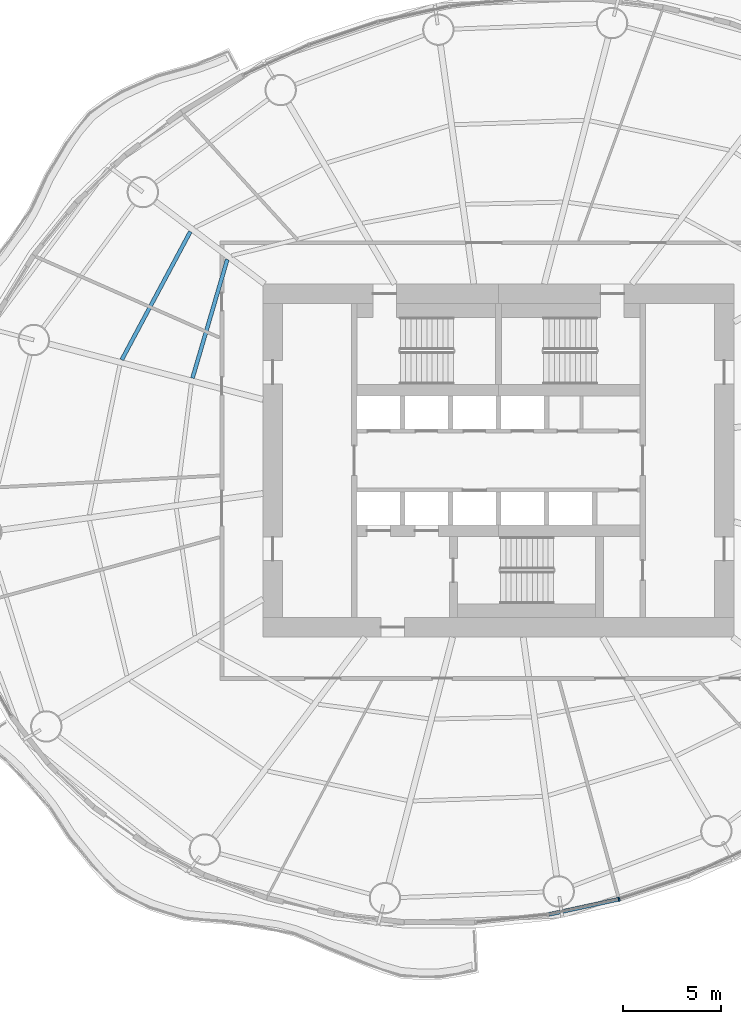
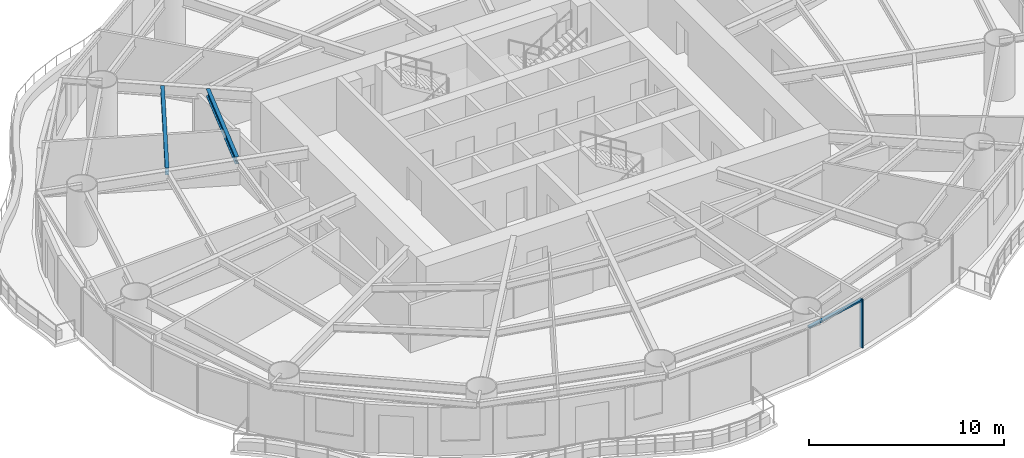
# One storey, part 3 of 16: 2 beams, 2 members, 2 elements without a shape of their own.
"""IFC4 building model written with IfcOpenShell, lengths in metres."""

from ifc_helpers import new_model, si_unit, direction, frame, origin, origin_2d, place, context, subcontext, project, spatial, rectangle, i_section, extrude, material, material_profile, profile_set, type_object, element, aggregate, save


model = new_model("IFC4")

# Units and contexts
model_context = context("Model", 3, precision=1e-05, world=origin(), true_north=direction((0.0, 1.0)))
body_context = subcontext(model_context, "Body", "Model", "MODEL_VIEW")
ifc_project = project(units=[si_unit("LENGTHUNIT", "METRE"), si_unit("AREAUNIT", "SQUARE_METRE"), si_unit("VOLUMEUNIT", "CUBIC_METRE"), si_unit("PLANEANGLEUNIT", "RADIAN"), si_unit("MASSUNIT", "GRAM", prefix="KILO")], contexts=[model_context])

# Site, building, storey
site_placement = place(None, origin())
site = spatial("IfcSite", under=ifc_project, at=site_placement, CompositionType="ELEMENT")
building_placement = place(site_placement, origin())
building = spatial("IfcBuilding", under=site, at=building_placement, Name="Vermilion Reach Broadcast Tower", CompositionType="ELEMENT")
storey_placement = place(building_placement, frame((0.0, 0.0, 95.800048828125)))
storey = spatial("IfcBuildingStorey", under=building, at=storey_placement, Name="L21", CompositionType="ELEMENT", Elevation=95.800048828125)

# Beams
ifc_material_1 = material(Name="Steel S355J2", Category="steel")
ifc_material_profile_1 = material_profile(ifc_material_1, i_section(OverallWidth=0.199951171875, OverallDepth=0.449951171875, WebThickness=0.009033203125, FlangeThickness=0.013916015625, at=origin_2d()), Name="S355J2 HN 450x200x9x14")
ifc_profile_set_1 = profile_set([ifc_material_profile_1], Name="Steel S355J2")
beam_type = type_object("IfcBeamType", Name="SB2 HN 450x200x9x14", PredefinedType="BEAM", material=ifc_profile_set_1)
beam_1_placement = place(storey_placement, frame((-19.821533203125, 10.246337890625, 3.224853515625), z_axis=(-0.281175657723, -0.959656318431, 0.0), x_axis=(0.959656318431, -0.281175657723, 0.0)))
element("IfcBeam", 1, at=beam_1_placement, inside=storey, type_object=beam_type, Name="Secondary beam SB2-06-1", PredefinedType="BEAM", context=body_context, shape_type="SweptSolid", body=[
    extrude(i_section(OverallWidth=0.199951171875, OverallDepth=0.449951171875, WebThickness=0.009033203125, FlangeThickness=0.013916015625, at=origin_2d()), origin(), (0.0, 0.0, 1.0), 6.298583984375),
])
beam_2_placement = place(storey_placement, frame((-21.702880859375, 11.66650390625, 3.224853515625), z_axis=(-0.471821551693, -0.881694064491, 0.0), x_axis=(0.881694064491, -0.471821551693, 0.0)))
element("IfcBeam", 2, at=beam_2_placement, inside=storey, type_object=beam_type, Name="Secondary beam SB2-06-2", PredefinedType="BEAM", context=body_context, shape_type="SweptSolid", body=[
    extrude(i_section(OverallWidth=0.199951171875, OverallDepth=0.449951171875, WebThickness=0.009033203125, FlangeThickness=0.013916015625, at=origin_2d()), origin(), (0.0, 0.0, 1.0), 7.405029296875),
])

# Curtain wall, member
ifc_material_2 = material(Name="Low-e laminated clear glass in aluminium frame", Category="aluminium")
curtain_wall_type = type_object("IfcCurtainWallType", Name="Slot curtain wall", PredefinedType="NOTDEFINED", material=ifc_material_2)
placement = place(storey_placement, origin())
curtain_wall_1 = element("IfcCurtainWall", 3, at=placement, inside=storey, type_object=curtain_wall_type, Name="Slot curtain wall L21 36", PredefinedType="NOTDEFINED")
ifc_material_3 = material(Name="Anodised aluminium", Category="aluminium")
ifc_material_profile_2 = material_profile(ifc_material_3, rectangle(XDim=0.199951171875, YDim=0.080078125, at=origin_2d()), Name="Slot mullion 80 x 200")
ifc_profile_set_2 = profile_set([ifc_material_profile_2], Name="Anodised aluminium")
member_type_1 = type_object("IfcMemberType", Name="Slot mullion 80 x 200", PredefinedType="MULLION", material=ifc_profile_set_2)
member_1_placement = place(storey_placement, frame((0.138671875, -22.347412109375, 0.0), z_axis=(0.0, 0.0, 1.0), x_axis=(-0.264882896432, 0.96428058737, 0.0)))
member_1 = element("IfcMember", 4, at=member_1_placement, type_object=member_type_1, Name="Slot mullion L21 36", PredefinedType="MULLION", context=body_context, shape_type="SweptSolid", body=[
    extrude(rectangle(XDim=0.199951171875, YDim=0.080078125, at=origin_2d()), origin(), (0.0, 0.0, 1.0), 3.050048828125),
])
aggregate(curtain_wall_1, [member_1])

curtain_wall_2 = element("IfcCurtainWall", 5, at=placement, inside=storey, type_object=curtain_wall_type, Name="Slot curtain wall L21 35", PredefinedType="NOTDEFINED")
ifc_material_4 = material(Name="Anodised aluminium", Category="aluminium")
ifc_material_profile_3 = material_profile(ifc_material_4, rectangle(XDim=0.199951171875, YDim=0.10009765625, at=origin_2d()), Name="Slot transom 200 x 100")
ifc_profile_set_3 = profile_set([ifc_material_profile_3], Name="Anodised aluminium")
member_type_2 = type_object("IfcMemberType", Name="Slot transom 200 x 100", PredefinedType="USERDEFINED", material=ifc_profile_set_3)
member_2_placement = place(storey_placement, frame((-3.44970703125, -23.12890625, 3.0), z_axis=(0.977098655356, 0.212786789301, 0.0), x_axis=(-0.212786789301, 0.977098655356, 0.0)))
member_2 = element("IfcMember", 6, at=member_2_placement, type_object=member_type_2, Name="Slot transom L21 35.1", ObjectType="TRANSOM", PredefinedType="USERDEFINED", context=body_context, shape_type="SweptSolid", body=[
    extrude(rectangle(XDim=0.199951171875, YDim=0.10009765625, at=origin_2d()), origin(), (0.0, 0.0, 1.0), 3.632568359375),
])
aggregate(curtain_wall_2, [member_2])

save(model, "model.ifc")
